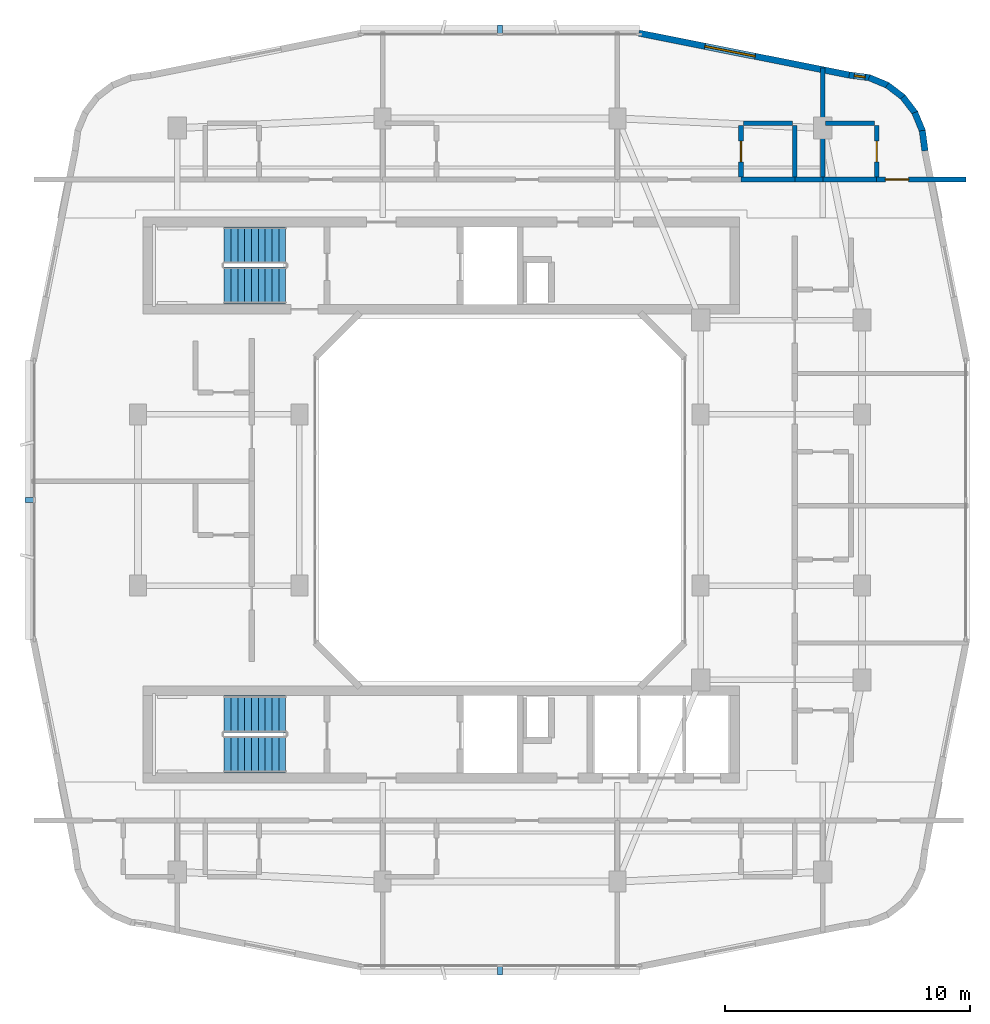
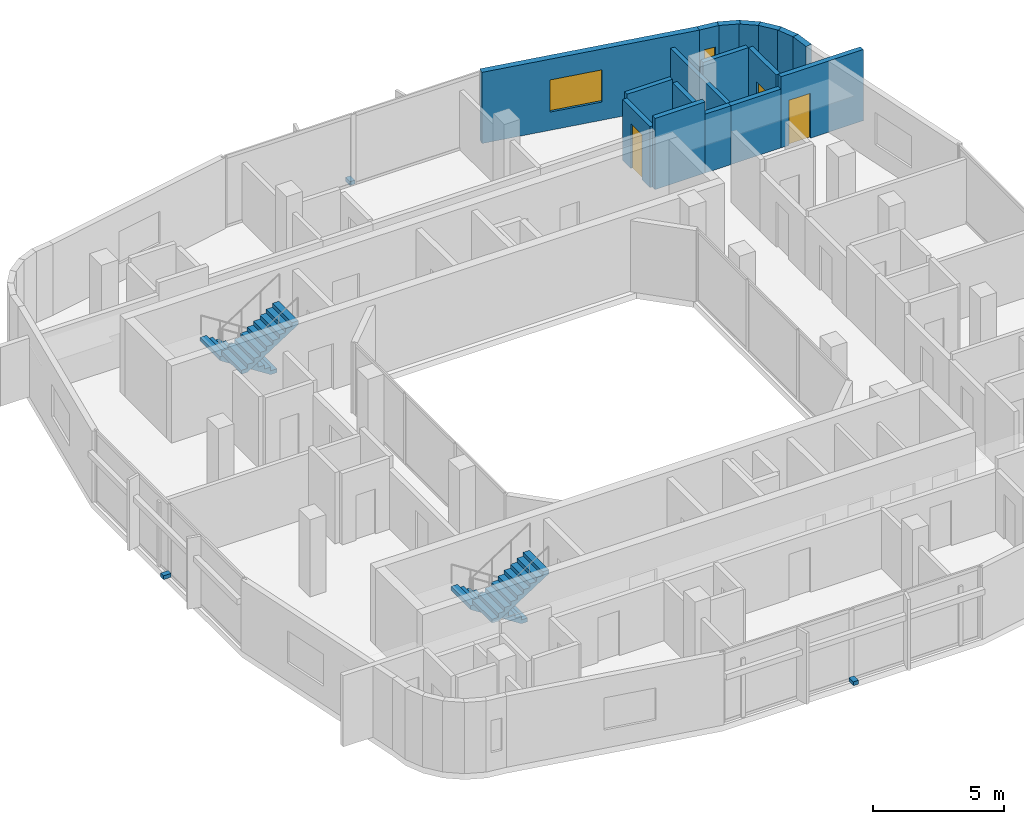
# One storey, part 10 of 14: 17 walls, 4 stair flights, 3 discrete accessories, 3 doors, 2 windows, 5 openings, 2 elements without a shape of their own.
"""IFC4 building model written with IfcOpenShell, lengths in metres."""

from ifc_helpers import new_model, si_unit, derived_unit, direction, frame, frame_2d, origin, origin_2d, place, context, subcontext, project, spatial, polyline, rectangle, outline, extrude, material, layer, layer_set, type_object, element, fill, aggregate, save


model = new_model("IFC4")

# Units and contexts
model_context = context("Model", 3, precision=1e-05, world=origin(), true_north=direction((0.0, 1.0)))
body_context = subcontext(model_context, "Body", "Model", "MODEL_VIEW")
ifc_project = project(units=[si_unit("LENGTHUNIT", "METRE"), si_unit("AREAUNIT", "SQUARE_METRE"), si_unit("VOLUMEUNIT", "CUBIC_METRE"), si_unit("PLANEANGLEUNIT", "RADIAN"), si_unit("MASSUNIT", "GRAM", prefix="KILO"), derived_unit("THERMALTRANSMITTANCEUNIT", [(si_unit("POWERUNIT", "WATT"), 1), (si_unit("LENGTHUNIT", "METRE"), -2), (si_unit("THERMODYNAMICTEMPERATUREUNIT", "KELVIN"), -1)])], contexts=[model_context])

# Site, building, storey
site_placement = place(None, origin())
site = spatial("IfcSite", under=ifc_project, at=site_placement, CompositionType="ELEMENT")
building_placement = place(site_placement, origin())
building = spatial("IfcBuilding", under=site, at=building_placement, Name="Kivonza Crest Hotel", CompositionType="ELEMENT")
storey_placement = place(building_placement, frame((0.0, 0.0, 227.89990234375)))
storey = spatial("IfcBuildingStorey", under=building, at=storey_placement, Name="L62", CompositionType="ELEMENT", Elevation=227.89990234375)

# Walls
ifc_material_1 = material(Name="High-density acoustic masonry inter-tenancy wall", Category="masonry")
ifc_layer_1 = layer(ifc_material_1, 0.179931640625)
ifc_layer_set_1 = layer_set([ifc_layer_1], Name="High-density acoustic masonry inter-tenancy wall")
wall_type_1 = type_object("IfcWallType", Name="WL-ACOU-180", PredefinedType="SOLIDWALL", material=ifc_layer_set_1)
wall_1_placement = place(storey_placement, frame((34.199951171875, 38.10009765625, 0.0), z_axis=(0.0, 0.0, 1.0), x_axis=(0.0, 1.0, 0.0)))
element("IfcWall", 1, at=wall_1_placement, inside=storey, type_object=wall_type_1, Name="L62 interior partition WA-L62-T1N-DIV3", PredefinedType="SOLIDWALL", context=body_context, shape_type="SweptSolid", body=[
    extrude(rectangle(XDim=4.557861328125, YDim=0.179931640625, at=frame_2d((2.27880859375, 0.0))), origin(), (0.0, 0.0, 1.0), 2.7451171875),
])
ifc_material_2 = material(Name="Autoclaved aerated concrete blockwork", Category="masonry")
ifc_layer_2 = layer(ifc_material_2, 0.219970703125)
ifc_layer_set_2 = layer_set([ifc_layer_2], Name="Autoclaved aerated concrete blockwork")
wall_type_2 = type_object("IfcWallType", Name="WL-ACOU-220", PredefinedType="SOLIDWALL", material=ifc_layer_set_2)
wall_2_placement = place(storey_placement, frame((33.050048828125, 38.10009765625, 0.0), z_axis=(0.0, 0.0, 1.0), x_axis=(1.0, 0.0, 0.0)))
element("IfcWall", 2, at=wall_2_placement, inside=storey, type_object=wall_type_2, Name="L62 interior partition WA-L62-N03-XCORR", PredefinedType="SOLIDWALL", context=body_context, shape_type="SweptSolid", body=[
    extrude(rectangle(XDim=1.14990234375, YDim=0.219970703125, at=frame_2d((0.574951171875, 0.0))), origin(), (0.0, 0.0, 1.0), 2.7451171875),
])
wall_3_placement = place(storey_placement, frame((30.85009765625, 38.10009765625, 0.0), z_axis=(0.0, 0.0, 1.0), x_axis=(1.0, 0.0, 0.0)))
element("IfcWall", 3, at=wall_3_placement, inside=storey, type_object=wall_type_2, Name="L62 interior partition WA-L62-N03-BCORR", PredefinedType="SOLIDWALL", context=body_context, shape_type="SweptSolid", body=[
    extrude(rectangle(XDim=2.199951171875, YDim=0.219970703125, at=frame_2d((1.10009765625, 0.0))), origin(), (0.0, 0.0, 1.0), 3.320068359375),
])
wall_4_placement = place(storey_placement, frame((34.199951171875, 38.10009765625, 0.0), z_axis=(0.0, 0.0, 1.0), x_axis=(1.0, 0.0, 0.0)))
element("IfcWall", 4, at=wall_4_placement, inside=storey, type_object=wall_type_2, Name="L62 interior partition WA-L62-N04-BCORR", PredefinedType="SOLIDWALL", context=body_context, shape_type="SweptSolid", body=[
    extrude(rectangle(XDim=2.199951171875, YDim=0.219970703125, at=frame_2d((1.10009765625, 0.0))), origin(), (0.0, 0.0, 1.0), 2.7451171875),
])

# Wall, opening, door
wall_5_placement = place(storey_placement, frame((36.39990234375, 38.10009765625, 0.0), z_axis=(0.0, 0.0, 1.0), x_axis=(1.0, 0.0, 0.0)))
wall_5 = element("IfcWall", 5, at=wall_5_placement, inside=storey, type_object=wall_type_2, Name="L62 interior partition WA-L62-N04-MCORR", PredefinedType="SOLIDWALL", context=body_context, shape_type="SweptSolid", body=[
    extrude(rectangle(XDim=3.64013671875, YDim=0.219970703125, at=frame_2d((1.820068359375, 0.0))), origin(), (0.0, 0.0, 1.0), 3.320068359375),
])
opening_1_placement = place(wall_5_placement, frame((0.35009765625, 0.0, 0.0)))
opening_1 = element("IfcOpeningElement", 6, at=opening_1_placement, cuts=wall_5, Name="Opening DU-60", PredefinedType="OPENING", context=body_context, shape_type="SweptSolid", body=[
    extrude(rectangle(XDim=0.949951171875, YDim=2.10009765625, at=frame_2d((0.47509765625, 1.050048828125))), frame((0.0, 0.1201171875, 0.0), z_axis=(0.0, -1.0, 0.0), x_axis=(1.0, 0.0, 0.0)), (0.0, 0.0, 1.0), 0.239990234375),
])
ifc_material_3 = material(Name="Hardwood timber oak", Category="wood")
door_type_1 = type_object("IfcDoorType", Name="DR-UNIT-950", OperationType="NOTDEFINED", PredefinedType="DOOR", material=ifc_material_3)
door_1_placement = place(opening_1_placement, origin())
door_1 = element("IfcDoor", 7, at=door_1_placement, inside=storey, type_object=door_type_1, Name="L62 N04 guest unit entrance fire door", OperationType="SINGLE_SWING_RIGHT", OverallHeight=2.10009765625, OverallWidth=0.949951171875, PredefinedType="DOOR", context=body_context, shape_type="SweptSolid", body=[
    extrude(rectangle(XDim=0.949951171875, YDim=2.10009765625, at=frame_2d((0.47509765625, 1.050048828125))), frame((0.0, 0.02490234375, 0.0), z_axis=(0.0, -1.0, 0.0), x_axis=(1.0, 0.0, 0.0)), (0.0, 0.0, 1.0), 0.050048828125),
])
fill(opening_1, door_1)

# Walls
ifc_material_4 = material(Name="Precast concrete C40/50", Category="concrete")
ifc_layer_3 = layer(ifc_material_4, 0.260009765625)
ifc_layer_set_3 = layer_set([ifc_layer_3], Name="Precast concrete C40/50")
wall_type_3 = type_object("IfcWallType", Name="WL-EXT-260", PredefinedType="STANDARD", material=ifc_layer_set_3)
wall_6_placement = place(storey_placement, frame((38.3720703125, 39.27490234375, 0.0), z_axis=(0.0, 0.0, 1.0), x_axis=(-0.130954667764, 0.9913883573, 0.0)))
element("IfcWall", 8, at=wall_6_placement, inside=storey, type_object=wall_type_3, Name="L62 T1 exterior insulated wall 19", PredefinedType="STANDARD", context=body_context, shape_type="SweptSolid", body=[
    extrude(rectangle(XDim=0.833251953125, YDim=0.260009765625, at=frame_2d((0.41650390625, 0.0))), origin(), (0.0, 0.0, 1.0), 3.320068359375),
])
wall_7_placement = place(storey_placement, frame((38.281005859375, 40.054931640625, 0.0), z_axis=(0.0, 0.0, 1.0), x_axis=(-0.382985169477, 0.923754491172, 0.0)))
element("IfcWall", 9, at=wall_7_placement, inside=storey, type_object=wall_type_3, Name="L62 T1 exterior insulated wall 20", PredefinedType="STANDARD", context=body_context, shape_type="SweptSolid", body=[
    extrude(rectangle(XDim=0.85107421875, YDim=0.260009765625, at=frame_2d((0.425537109375, 0.0))), origin(), (0.0, 0.0, 1.0), 3.320068359375),
])
for number, where, z_axis, x_axis, name in (
    (10, (37.98291015625, 40.801025390625, 0.0), (0.0, 0.0, 1.0), (-0.607918988881, 0.793999057278, 0.0), "L62 T1 exterior insulated wall 21"),
    (11, (37.50390625, 41.445068359375, 0.0), (0.0, 0.0, 1.0), (-0.793892896323, 0.608057619941, 0.0), "L62 T1 exterior insulated wall 22"),
):
    element("IfcWall", number, at=place(storey_placement, frame(where, z_axis=z_axis, x_axis=x_axis)), inside=storey, type_object=wall_type_3, Name=name, PredefinedType="STANDARD", context=body_context, shape_type="SweptSolid", body=[
        extrude(rectangle(XDim=0.85009765625, YDim=0.260009765625, at=frame_2d((0.425048828125, 0.0))), origin(), (0.0, 0.0, 1.0), 3.320068359375),
    ])
wall_8_placement = place(storey_placement, frame((36.873046875, 41.94091796875, 0.0), z_axis=(0.0, 0.0, 1.0), x_axis=(-0.923652976167, 0.383229930484, 0.0)))
element("IfcWall", 12, at=wall_8_placement, inside=storey, type_object=wall_type_3, Name="L62 T1 exterior insulated wall 23", PredefinedType="STANDARD", context=body_context, shape_type="SweptSolid", body=[
    extrude(rectangle(XDim=0.85107421875, YDim=0.260009765625, at=frame_2d((0.425537109375, 0.0))), origin(), (0.0, 0.0, 1.0), 3.320068359375),
])

# Wall, opening, window
wall_9_placement = place(storey_placement, frame((36.135986328125, 42.259033203125, 0.0), z_axis=(0.0, 0.0, 1.0), x_axis=(-0.991493480548, 0.130156359936, 0.0)))
wall_9 = element("IfcWall", 13, at=wall_9_placement, inside=storey, type_object=wall_type_3, Name="L62 T1 exterior insulated wall 24", PredefinedType="STANDARD", context=body_context, shape_type="SweptSolid", body=[
    extrude(rectangle(XDim=0.868408203125, YDim=0.260009765625, at=frame_2d((0.43408203125, 0.0))), origin(), (0.0, 0.0, 1.0), 3.320068359375),
])
opening_2_placement = place(wall_9_placement, frame((0.208984375, 0.0, 0.85009765625)))
opening_2 = element("IfcOpeningElement", 14, at=opening_2_placement, cuts=wall_9, Name="Opening WN-11", PredefinedType="OPENING", context=body_context, shape_type="SweptSolid", body=[
    extrude(rectangle(XDim=0.449951171875, YDim=1.5, at=frame_2d((0.22509765625, 0.75))), frame((0.0, 0.14013671875, 0.0), z_axis=(0.0, -1.0, 0.0), x_axis=(1.0, 0.0, 0.0)), (0.0, 0.0, 1.0), 0.280029296875),
])
ifc_material_5 = material(Name="Thermally broken bronze aluminium and low-E double glazing", Category="aluminium")
window_type_1 = type_object("IfcWindowType", Name="WN-045x150", PartitioningType="SINGLE_PANEL", PredefinedType="WINDOW", material=ifc_material_5)
window_1_placement = place(opening_2_placement, origin())
window_1 = element("IfcWindow", 15, at=window_1_placement, inside=storey, type_object=window_type_1, Name="L62 corner vision window 1", OverallHeight=1.5, OverallWidth=0.449951171875, PartitioningType="SINGLE_PANEL", PredefinedType="WINDOW", context=body_context, shape_type="SweptSolid", body=[
    extrude(rectangle(XDim=0.449951171875, YDim=1.5, at=frame_2d((0.22509765625, 0.75))), frame((0.0, 0.030029296875, 0.0), z_axis=(0.0, -1.0, 0.0), x_axis=(1.0, 0.0, 0.0)), (0.0, 0.0, 1.0), 0.06005859375),
])
fill(opening_2, window_1)

wall_10_placement = place(storey_placement, frame((35.282958984375, 42.37109375, 0.0), z_axis=(0.0, 0.0, 1.0), x_axis=(-0.980745199176, 0.195291715883, 0.0)))
wall_10 = element("IfcWall", 16, at=wall_10_placement, inside=storey, type_object=wall_type_3, Name="L62 T1 exterior insulated wall 25", PredefinedType="STANDARD", context=body_context, shape_type="SweptSolid", body=[
    extrude(rectangle(XDim=8.77099609375, YDim=0.260009765625, at=frame_2d((4.385498046875, 0.0))), origin(), (0.0, 0.0, 1.0), 3.320068359375),
])
opening_3_placement = place(wall_10_placement, frame((3.925048828125, 0.0, 0.85009765625)))
opening_3 = element("IfcOpeningElement", 17, at=opening_3_placement, cuts=wall_10, Name="Opening WN-04", PredefinedType="OPENING", context=body_context, shape_type="SweptSolid", body=[
    extrude(rectangle(XDim=2.10009765625, YDim=1.5, at=frame_2d((1.050048828125, 0.75))), frame((0.0, 0.14013671875, 0.0), z_axis=(0.0, -1.0, 0.0), x_axis=(1.0, 0.0, 0.0)), (0.0, 0.0, 1.0), 0.280029296875),
])
window_type_2 = type_object("IfcWindowType", Name="WN-210x150", PartitioningType="DOUBLE_PANEL_VERTICAL", PredefinedType="WINDOW", material=ifc_material_5)
window_2_placement = place(opening_3_placement, origin())
window_2 = element("IfcWindow", 18, at=window_2_placement, inside=storey, type_object=window_type_2, Name="L62 T1 facade window 25", OverallHeight=1.5, OverallWidth=2.10009765625, PartitioningType="SINGLE_PANEL", PredefinedType="WINDOW", context=body_context, shape_type="SweptSolid", body=[
    extrude(rectangle(XDim=2.10009765625, YDim=1.5, at=frame_2d((1.050048828125, 0.75))), frame((0.0, 0.030029296875, 0.0), z_axis=(0.0, -1.0, 0.0), x_axis=(1.0, 0.0, 0.0)), (0.0, 0.0, 1.0), 0.06005859375),
])
fill(opening_3, window_2)

# Wall, opening, door
ifc_material_6 = material(Name="Moisture-resistant plumbing chase partition wall", Category="gypsum")
ifc_layer_4 = layer(ifc_material_6, 0.199951171875)
ifc_layer_set_4 = layer_set([ifc_layer_4], Name="Moisture-resistant plumbing chase partition wall")
wall_type_4 = type_object("IfcWallType", Name="WL-PLUMB-200", PredefinedType="PLUMBINGWALL", material=ifc_layer_set_4)
wall_11_placement = place(storey_placement, frame((30.85009765625, 38.199951171875, 0.0), z_axis=(0.0, 0.0, 1.0), x_axis=(0.0, 1.0, 0.0)))
wall_11 = element("IfcWall", 19, at=wall_11_placement, inside=storey, type_object=wall_type_4, Name="L62 interior partition WW-L62-N03-BV", PredefinedType="PLUMBINGWALL", context=body_context, shape_type="SweptSolid", body=[
    extrude(rectangle(XDim=2.10009765625, YDim=0.199951171875, at=frame_2d((1.050048828125, 0.0))), origin(), (0.0, 0.0, 1.0), 2.84521484375),
])
opening_4_placement = place(wall_11_placement, frame((0.625, 0.0, 0.0)))
opening_4 = element("IfcOpeningElement", 20, at=opening_4_placement, cuts=wall_11, Name="Opening DI-85", PredefinedType="OPENING", context=body_context, shape_type="SweptSolid", body=[
    extrude(rectangle(XDim=0.85009765625, YDim=2.10009765625, at=frame_2d((0.425048828125, 1.050048828125))), frame((0.0, 0.10986328125, 0.0), z_axis=(0.0, -1.0, 0.0), x_axis=(1.0, 0.0, 0.0)), (0.0, 0.0, 1.0), 0.219970703125),
])
door_type_2 = type_object("IfcDoorType", Name="DR-INT-850", OperationType="NOTDEFINED", PredefinedType="DOOR", material=ifc_material_3)
door_2_placement = place(opening_4_placement, origin())
door_2 = element("IfcDoor", 21, at=door_2_placement, inside=storey, type_object=door_type_2, Name="L62 N03 en-suite bathroom door", OperationType="SINGLE_SWING_RIGHT", OverallHeight=2.10009765625, OverallWidth=0.85009765625, PredefinedType="DOOR", context=body_context, shape_type="SweptSolid", body=[
    extrude(rectangle(XDim=0.85009765625, YDim=2.10009765625, at=frame_2d((0.425048828125, 1.050048828125))), frame((0.0, 0.02490234375, 0.0), z_axis=(0.0, -1.0, 0.0), x_axis=(1.0, 0.0, 0.0)), (0.0, 0.0, 1.0), 0.050048828125),
])
fill(opening_4, door_2)

# Walls
wall_12_placement = place(storey_placement, frame((30.949951171875, 40.39990234375, 0.0), z_axis=(0.0, 0.0, 1.0), x_axis=(1.0, 0.0, 0.0)))
element("IfcWall", 22, at=wall_12_placement, inside=storey, type_object=wall_type_4, Name="L62 interior partition WW-L62-N03-BH", PredefinedType="PLUMBINGWALL", context=body_context, shape_type="SweptSolid", body=[
    extrude(rectangle(XDim=2.0, YDim=0.199951171875, at=frame_2d((1.0, 0.0))), origin(), (0.0, 0.0, 1.0), 3.01513671875),
])
wall_13_placement = place(storey_placement, frame((33.050048828125, 38.199951171875, 0.0), z_axis=(0.0, 0.0, 1.0), x_axis=(0.0, 1.0, 0.0)))
element("IfcWall", 23, at=wall_13_placement, inside=storey, type_object=wall_type_4, Name="L62 interior partition WW-L62-N03-BVE", PredefinedType="PLUMBINGWALL", context=body_context, shape_type="SweptSolid", body=[
    extrude(rectangle(XDim=2.10009765625, YDim=0.199951171875, at=frame_2d((1.050048828125, 0.0))), origin(), (0.0, 0.0, 1.0), 2.84521484375),
])

# Wall, opening, door
wall_14_placement = place(storey_placement, frame((36.39990234375, 38.199951171875, 0.0), z_axis=(0.0, 0.0, 1.0), x_axis=(0.0, 1.0, 0.0)))
wall_14 = element("IfcWall", 24, at=wall_14_placement, inside=storey, type_object=wall_type_4, Name="L62 interior partition WW-L62-N04-BV", PredefinedType="PLUMBINGWALL", context=body_context, shape_type="SweptSolid", body=[
    extrude(rectangle(XDim=2.10009765625, YDim=0.199951171875, at=frame_2d((1.050048828125, 0.0))), origin(), (0.0, 0.0, 1.0), 3.320068359375),
])
opening_5_placement = place(wall_14_placement, frame((0.625, 0.0, 0.0)))
opening_5 = element("IfcOpeningElement", 25, at=opening_5_placement, cuts=wall_14, Name="Opening DI-85", PredefinedType="OPENING", context=body_context, shape_type="SweptSolid", body=[
    extrude(rectangle(XDim=0.85009765625, YDim=2.10009765625, at=frame_2d((0.425048828125, 1.050048828125))), frame((0.0, 0.10986328125, 0.0), z_axis=(0.0, -1.0, 0.0), x_axis=(1.0, 0.0, 0.0)), (0.0, 0.0, 1.0), 0.219970703125),
])
door_3_placement = place(opening_5_placement, frame((0.85009765625, 0.0, 0.0), z_axis=(0.0, 0.0, 1.0), x_axis=(-1.0, 0.0, 0.0)))
door_3 = element("IfcDoor", 26, at=door_3_placement, inside=storey, type_object=door_type_2, Name="L62 N04 en-suite bathroom door", OperationType="SINGLE_SWING_LEFT", OverallHeight=2.10009765625, OverallWidth=0.85009765625, PredefinedType="DOOR", context=body_context, shape_type="SweptSolid", body=[
    extrude(rectangle(XDim=0.85009765625, YDim=2.10009765625, at=frame_2d((0.425048828125, 1.050048828125))), frame((0.0, 0.02490234375, 0.0), z_axis=(0.0, -1.0, 0.0), x_axis=(1.0, 0.0, 0.0)), (0.0, 0.0, 1.0), 0.050048828125),
])
fill(opening_5, door_3)

# Wall
wall_15_placement = place(storey_placement, frame((34.300048828125, 40.39990234375, 0.0), z_axis=(0.0, 0.0, 1.0), x_axis=(1.0, 0.0, 0.0)))
element("IfcWall", 27, at=wall_15_placement, inside=storey, type_object=wall_type_4, Name="L62 interior partition WW-L62-N04-BH", PredefinedType="PLUMBINGWALL", context=body_context, shape_type="SweptSolid", body=[
    extrude(rectangle(XDim=2.0, YDim=0.199951171875, at=frame_2d((1.0, 0.0))), origin(), (0.0, 0.0, 1.0), 3.320068359375),
])

# Stair, stair flights
ifc_material_7 = material(Name="Concrete C40/50", Category="concrete")
stair_type = type_object("IfcStairType", Name="ST-DL-20R", PredefinedType="HALF_TURN_STAIR", material=ifc_material_7)
stair_1_placement = place(storey_placement, origin())
stair_1 = element("IfcStair", 28, at=stair_1_placement, inside=storey, type_object=stair_type, Name="L62 Protected Exit Stair ST-T1-N", PredefinedType="HALF_TURN_STAIR")
stair_flight_type = type_object("IfcStairFlightType", Name="SFL-RC-10R", PredefinedType="STRAIGHT", material=ifc_material_7)
stair_flight_1_placement = place(storey_placement, frame((12.239990234375, 35.409912109375, 0.0), z_axis=(0.0, 0.0, 1.0), x_axis=(-1.0, 0.0, 0.0)))
stair_flight_1 = element("IfcStairFlight", 29, at=stair_flight_1_placement, type_object=stair_flight_type, Name="ST-T1-N flight 1", NumberOfRisers=10, NumberOfTreads=9, PredefinedType="STRAIGHT", RiserHeight=0.18, TreadLength=0.28, context=body_context, shape_type="SweptSolid", body=[
    extrude(outline(polyline([(0.0, 0.0), (0.0, 0.179931640625), (0.280029296875, 0.179931640625), (0.280029296875, 0.360107421875), (0.56005859375, 0.360107421875), (0.56005859375, 0.5400390625), (0.840087890625, 0.5400390625), (0.840087890625, 0.719970703125), (1.1201171875, 0.719970703125), (1.1201171875, 0.89990234375), (1.39990234375, 0.89990234375), (1.39990234375, 1.080078125), (1.679931640625, 1.080078125), (1.679931640625, 1.260009765625), (1.9599609375, 1.260009765625), (1.9599609375, 1.43994140625), (2.239990234375, 1.43994140625), (2.239990234375, 1.6201171875), (2.52001953125, 1.6201171875), (2.52001953125, 1.800048828125), (2.52001953125, 1.44189453125), (0.277099609375, 0.0), (0.0, 0.0)])), frame((0.0, 0.75, 0.0), z_axis=(0.0, -1.0, 0.0), x_axis=(1.0, 0.0, 0.0)), (0.0, 0.0, 1.0), 1.5),
])
stair_flight_2_placement = place(storey_placement, frame((9.719970703125, 33.77001953125, 1.800048828125), z_axis=(0.0, 0.0, 1.0), x_axis=(1.0, 0.0, 0.0)))
stair_flight_2 = element("IfcStairFlight", 30, at=stair_flight_2_placement, type_object=stair_flight_type, Name="ST-T1-N flight 2", NumberOfRisers=10, NumberOfTreads=9, PredefinedType="STRAIGHT", RiserHeight=0.18, TreadLength=0.28, context=body_context, shape_type="SweptSolid", body=[
    extrude(outline(polyline([(0.0, 0.0), (0.0, 0.179931640625), (0.280029296875, 0.179931640625), (0.280029296875, 0.360107421875), (0.56005859375, 0.360107421875), (0.56005859375, 0.5400390625), (0.840087890625, 0.5400390625), (0.840087890625, 0.719970703125), (1.1201171875, 0.719970703125), (1.1201171875, 0.89990234375), (1.39990234375, 0.89990234375), (1.39990234375, 1.080078125), (1.679931640625, 1.080078125), (1.679931640625, 1.260009765625), (1.9599609375, 1.260009765625), (1.9599609375, 1.43994140625), (2.239990234375, 1.43994140625), (2.239990234375, 1.6201171875), (2.52001953125, 1.6201171875), (2.52001953125, 1.800048828125), (2.52001953125, 1.44189453125), (0.277099609375, 0.0), (0.0, 0.0)])), frame((0.0, 0.75, 0.0), z_axis=(0.0, -1.0, 0.0), x_axis=(1.0, 0.0, 0.0)), (0.0, 0.0, 1.0), 1.5),
])
aggregate(stair_1, [stair_flight_1, stair_flight_2])

stair_2_placement = place(storey_placement, origin())
stair_2 = element("IfcStair", 31, at=stair_2_placement, inside=storey, type_object=stair_type, Name="L62 Protected Exit Stair ST-T1-S", PredefinedType="HALF_TURN_STAIR")
stair_flight_3_placement = place(storey_placement, frame((12.239990234375, 16.25, 0.0), z_axis=(0.0, 0.0, 1.0), x_axis=(-1.0, 0.0, 0.0)))
stair_flight_3 = element("IfcStairFlight", 32, at=stair_flight_3_placement, type_object=stair_flight_type, Name="ST-T1-S flight 1", NumberOfRisers=10, NumberOfTreads=9, PredefinedType="STRAIGHT", RiserHeight=0.18, TreadLength=0.28, context=body_context, shape_type="SweptSolid", body=[
    extrude(outline(polyline([(0.0, 0.0), (0.0, 0.179931640625), (0.280029296875, 0.179931640625), (0.280029296875, 0.360107421875), (0.56005859375, 0.360107421875), (0.56005859375, 0.5400390625), (0.840087890625, 0.5400390625), (0.840087890625, 0.719970703125), (1.1201171875, 0.719970703125), (1.1201171875, 0.89990234375), (1.39990234375, 0.89990234375), (1.39990234375, 1.080078125), (1.679931640625, 1.080078125), (1.679931640625, 1.260009765625), (1.9599609375, 1.260009765625), (1.9599609375, 1.43994140625), (2.239990234375, 1.43994140625), (2.239990234375, 1.6201171875), (2.52001953125, 1.6201171875), (2.52001953125, 1.800048828125), (2.52001953125, 1.44189453125), (0.277099609375, 0.0), (0.0, 0.0)])), frame((0.0, 0.75, 0.0), z_axis=(0.0, -1.0, 0.0), x_axis=(1.0, 0.0, 0.0)), (0.0, 0.0, 1.0), 1.5),
])
stair_flight_4_placement = place(storey_placement, frame((9.719970703125, 14.610107421875, 1.800048828125), z_axis=(0.0, 0.0, 1.0), x_axis=(1.0, 0.0, 0.0)))
stair_flight_4 = element("IfcStairFlight", 33, at=stair_flight_4_placement, type_object=stair_flight_type, Name="ST-T1-S flight 2", NumberOfRisers=10, NumberOfTreads=9, PredefinedType="STRAIGHT", RiserHeight=0.18, TreadLength=0.28, context=body_context, shape_type="SweptSolid", body=[
    extrude(outline(polyline([(0.0, 0.0), (0.0, 0.179931640625), (0.280029296875, 0.179931640625), (0.280029296875, 0.360107421875), (0.56005859375, 0.360107421875), (0.56005859375, 0.5400390625), (0.840087890625, 0.5400390625), (0.840087890625, 0.719970703125), (1.1201171875, 0.719970703125), (1.1201171875, 0.89990234375), (1.39990234375, 0.89990234375), (1.39990234375, 1.080078125), (1.679931640625, 1.080078125), (1.679931640625, 1.260009765625), (1.9599609375, 1.260009765625), (1.9599609375, 1.43994140625), (2.239990234375, 1.43994140625), (2.239990234375, 1.6201171875), (2.52001953125, 1.6201171875), (2.52001953125, 1.800048828125), (2.52001953125, 1.44189453125), (0.277099609375, 0.0), (0.0, 0.0)])), frame((0.0, 0.75, 0.0), z_axis=(0.0, -1.0, 0.0), x_axis=(1.0, 0.0, 0.0)), (0.0, 0.0, 1.0), 1.5),
])
aggregate(stair_2, [stair_flight_3, stair_flight_4])

# Discrete accessories
ifc_material_8 = material(Name="Stainless steel 316", Category="steel")
discrete_accessory_type = type_object("IfcDiscreteAccessoryType", Name="AC-BRACKET-240", PredefinedType="BRACKET", material=ifc_material_8)
for number, where, z_axis, x_axis, name in (
    (34, (21.0, 5.760009765625, -0.009765625), (0.0, 0.0, 1.0), (1.0, 0.0, 0.0), "L62 terracotta baguette support bracket CW-T1-L62-08"),
    (35, (21.0, 44.239990234375, -0.009765625), (0.0, 0.0, 1.0), (-1.0, 0.0, 0.0), "L62 terracotta baguette support bracket CW-T1-L62-26"),
    (36, (1.760009765625, 25.0, -0.009765625), (0.0, 0.0, 1.0), (0.0, -1.0, 0.0), "L62 terracotta baguette support bracket CW-T1-L62-35"),
):
    element("IfcDiscreteAccessory", number, at=place(storey_placement, frame(where, z_axis=z_axis, x_axis=x_axis)), inside=storey, type_object=discrete_accessory_type, Name=name, PredefinedType="BRACKET", context=body_context, shape_type="SweptSolid", body=[
        extrude(rectangle(XDim=0.219970703125, YDim=0.340087890625, at=origin_2d()), origin(), (0.0, 0.0, 1.0), 0.179931640625),
    ])

save(model, "model.ifc")
